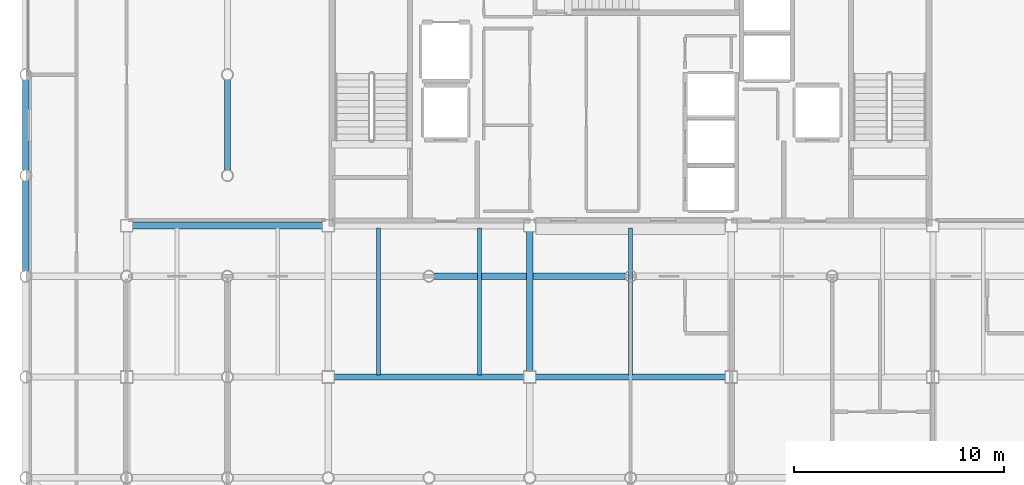
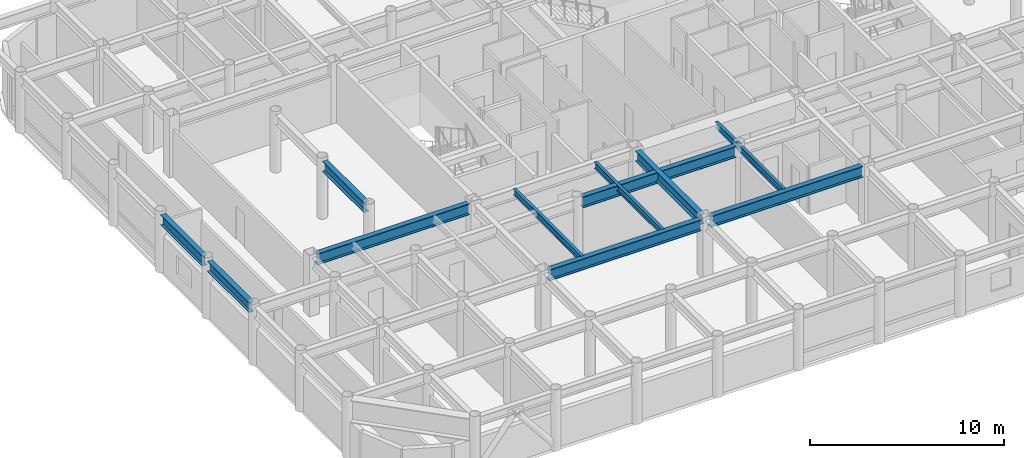
# One storey, part 5 of 22: 11 beams.
"""IFC4 building model written with IfcOpenShell, lengths in metres."""

from ifc_helpers import new_model, si_unit, direction, frame, origin, origin_2d, place, context, subcontext, project, spatial, i_section, extrude, material, material_profile, profile_set, type_object, element, save


model = new_model("IFC4")

# Units and contexts
model_context = context("Model", 3, precision=1e-05, world=origin(), true_north=direction((0.0, 1.0)))
body_context = subcontext(model_context, "Body", "Model", "MODEL_VIEW")
ifc_project = project(units=[si_unit("LENGTHUNIT", "METRE"), si_unit("AREAUNIT", "SQUARE_METRE"), si_unit("VOLUMEUNIT", "CUBIC_METRE"), si_unit("PLANEANGLEUNIT", "RADIAN"), si_unit("MASSUNIT", "GRAM", prefix="KILO")], contexts=[model_context])

# Site, building, storey
site_placement = place(None, origin())
site = spatial("IfcSite", under=ifc_project, at=site_placement, CompositionType="ELEMENT")
building_placement = place(site_placement, origin())
building = spatial("IfcBuilding", under=site, at=building_placement, Name="Kallvorn Hotel Tower", CompositionType="ELEMENT")
storey_placement = place(building_placement, frame((0.0, 0.0, 206.89990234375)))
storey = spatial("IfcBuildingStorey", under=building, at=storey_placement, Name="L51", CompositionType="ELEMENT", Elevation=206.89990234375)

# Beams
ifc_material_1 = material(Name="Structural steel S355JR", Category="steel")
ifc_material_profile_1 = material_profile(ifc_material_1, i_section(OverallWidth=0.300048828125, OverallDepth=0.64990234375, WebThickness=0.01611328125, FlangeThickness=0.031005859375, at=origin_2d()), Name="HE 650 B")
ifc_profile_set_1 = profile_set([ifc_material_profile_1], Name="Structural steel S355JR")
beam_type_1 = type_object("IfcBeamType", Name="BM_HE650B", PredefinedType="BEAM", material=ifc_profile_set_1)
for number, where, z_axis, x_axis, name in (
    (1, (-28.800048828125, -9.345458984375, 3.34521484375), (0.0, 1.0, 0.0), (-1.0, 0.0, 0.0), "L52 Primary Y-Girder 75"),
    (2, (-28.800048828125, -4.54541015625, 3.34521484375), (0.0, 1.0, 0.0), (-1.0, 0.0, 0.0), "L52 Primary Y-Girder 76"),
    (3, (-19.199951171875, -4.54541015625, 3.34521484375), (0.0, 1.0, 0.0), (-1.0, 0.0, 0.0), "L52 Primary Y-Girder 92"),
):
    element("IfcBeam", number, at=place(storey_placement, frame(where, z_axis=z_axis, x_axis=x_axis)), inside=storey, type_object=beam_type_1, Name=name, PredefinedType="BEAM", context=body_context, shape_type="SweptSolid", body=[
        extrude(i_section(OverallWidth=0.300048828125, OverallDepth=0.64990234375, WebThickness=0.01611328125, FlangeThickness=0.031005859375, at=origin_2d()), origin(), (0.0, 0.0, 1.0), 4.291015625),
    ])
beam_1_placement = place(storey_placement, frame((-4.800048828125, -14.125, 3.34521484375), z_axis=(0.0, 1.0, 0.0), x_axis=(-1.0, 0.0, 0.0)))
element("IfcBeam", 4, at=beam_1_placement, inside=storey, type_object=beam_type_1, Name="L52 Primary Y-Girder 107", PredefinedType="BEAM", context=body_context, shape_type="SweptSolid", body=[
    extrude(i_section(OverallWidth=0.300048828125, OverallDepth=0.64990234375, WebThickness=0.01611328125, FlangeThickness=0.031005859375, at=origin_2d()), origin(), (0.0, 0.0, 1.0), 6.64990234375),
])
ifc_material_2 = material(Name="Structural steel S355JR", Category="steel")
ifc_material_profile_2 = material_profile(ifc_material_2, i_section(OverallWidth=0.300048828125, OverallDepth=0.699951171875, WebThickness=0.01708984375, FlangeThickness=0.031982421875, at=origin_2d()), Name="HE 700 B")
ifc_profile_set_2 = profile_set([ifc_material_profile_2], Name="Structural steel S355JR")
beam_type_2 = type_object("IfcBeamType", Name="BM_HE700B", PredefinedType="BEAM", material=ifc_profile_set_2)
beam_2_placement = place(storey_placement, frame((-14.125, -14.39990234375, 3.320068359375), z_axis=(1.0, 0.0, 0.0), x_axis=(0.0, 1.0, 0.0)))
element("IfcBeam", 5, at=beam_2_placement, inside=storey, type_object=beam_type_2, Name="L52 Primary X-Girder 17", PredefinedType="BEAM", context=body_context, shape_type="SweptSolid", body=[
    extrude(i_section(OverallWidth=0.300048828125, OverallDepth=0.699951171875, WebThickness=0.01708984375, FlangeThickness=0.031982421875, at=origin_2d()), origin(), (0.0, 0.0, 1.0), 9.050048828125),
])
beam_3_placement = place(storey_placement, frame((-4.52490234375, -14.39990234375, 3.320068359375), z_axis=(1.0, 0.0, 0.0), x_axis=(0.0, 1.0, 0.0)))
element("IfcBeam", 6, at=beam_3_placement, inside=storey, type_object=beam_type_2, Name="L52 Primary X-Girder 18", PredefinedType="BEAM", context=body_context, shape_type="SweptSolid", body=[
    extrude(i_section(OverallWidth=0.300048828125, OverallDepth=0.699951171875, WebThickness=0.01708984375, FlangeThickness=0.031982421875, at=origin_2d()), origin(), (0.0, 0.0, 1.0), 9.0498046875),
])
beam_4_placement = place(storey_placement, frame((-9.345458984375, -9.60009765625, 3.320068359375), z_axis=(1.0, 0.0, 0.0), x_axis=(0.0, 1.0, 0.0)))
element("IfcBeam", 7, at=beam_4_placement, inside=storey, type_object=beam_type_2, Name="L52 Primary X-Girder 27", PredefinedType="BEAM", context=body_context, shape_type="SweptSolid", body=[
    extrude(i_section(OverallWidth=0.300048828125, OverallDepth=0.699951171875, WebThickness=0.01708984375, FlangeThickness=0.031982421875, at=origin_2d()), origin(), (0.0, 0.0, 1.0), 9.091064453125),
])
beam_5_placement = place(storey_placement, frame((-23.72509765625, -7.199951171875, 3.320068359375), z_axis=(1.0, 0.0, 0.0), x_axis=(0.0, 1.0, 0.0)))
element("IfcBeam", 8, at=beam_5_placement, inside=storey, type_object=beam_type_2, Name="L52 Primary X-Girder 33", PredefinedType="BEAM", context=body_context, shape_type="SweptSolid", body=[
    extrude(i_section(OverallWidth=0.300048828125, OverallDepth=0.699951171875, WebThickness=0.01708984375, FlangeThickness=0.031982421875, at=origin_2d()), origin(), (0.0, 0.0, 1.0), 9.050048828125),
])
ifc_material_3 = material(Name="Structural steel S355JR", Category="steel")
ifc_material_profile_3 = material_profile(ifc_material_3, i_section(OverallWidth=0.179931640625, OverallDepth=0.39990234375, WebThickness=0.008544921875, FlangeThickness=0.013427734375, at=origin_2d()), Name="IPE 400")
ifc_profile_set_3 = profile_set([ifc_material_profile_3], Name="Structural steel S355JR")
beam_type_3 = type_object("IfcBeamType", Name="BM_IPE400", PredefinedType="JOIST", material=ifc_profile_set_3)
for number, where, z_axis, x_axis, name in (
    (9, (-12.0, -14.300048828125, 3.47021484375), (0.0, 1.0, 0.0), (-1.0, 0.0, 0.0), "L52 Secondary Composite Joist 196"),
    (10, (-7.199951171875, -14.300048828125, 3.47021484375), (0.0, 1.0, 0.0), (-1.0, 0.0, 0.0), "L52 Secondary Composite Joist 198"),
    (11, (0.0, -14.300048828125, 3.47021484375), (0.0, 1.0, 0.0), (-1.0, 0.0, 0.0), "L52 Secondary Composite Joist 200"),
):
    element("IfcBeam", number, at=place(storey_placement, frame(where, z_axis=z_axis, x_axis=x_axis)), inside=storey, type_object=beam_type_3, Name=name, PredefinedType="JOIST", context=body_context, shape_type="SweptSolid", body=[
        extrude(i_section(OverallWidth=0.179931640625, OverallDepth=0.39990234375, WebThickness=0.008544921875, FlangeThickness=0.013427734375, at=origin_2d()), origin(), (0.0, 0.0, 1.0), 7.0),
    ])

save(model, "model.ifc")
